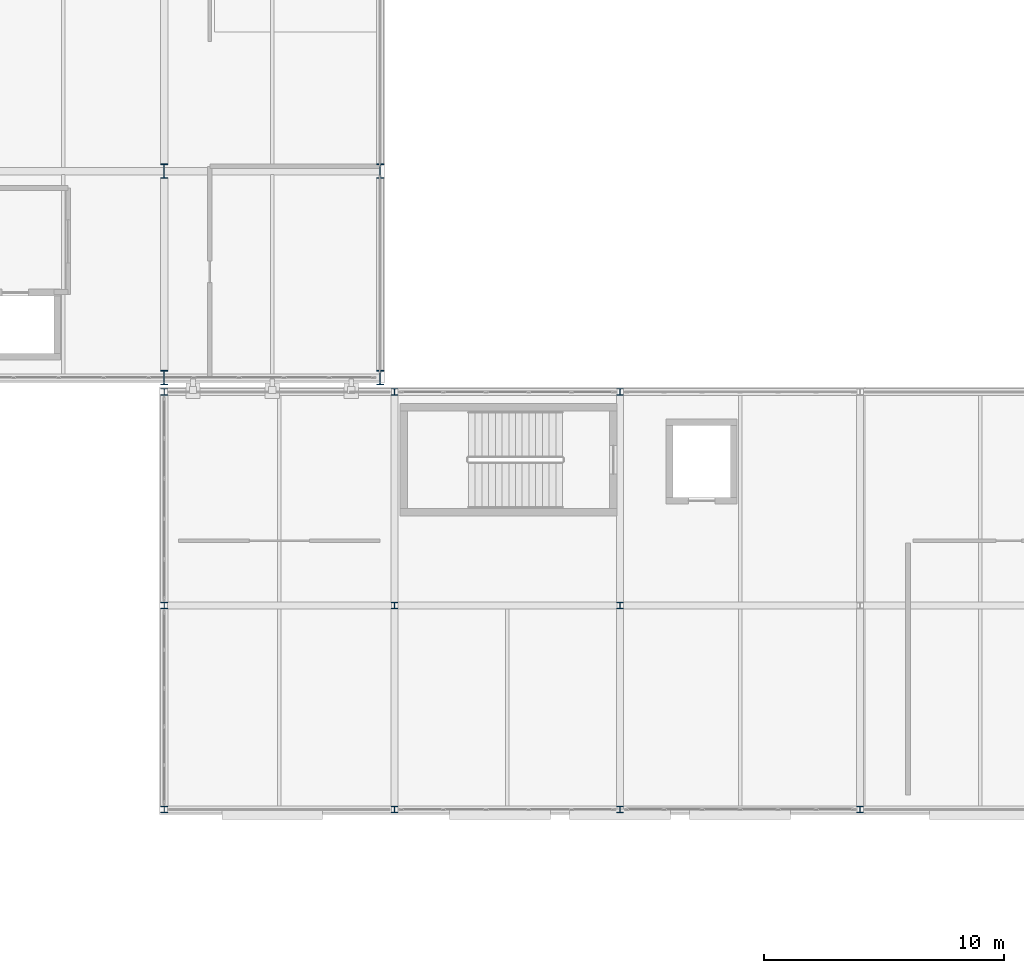
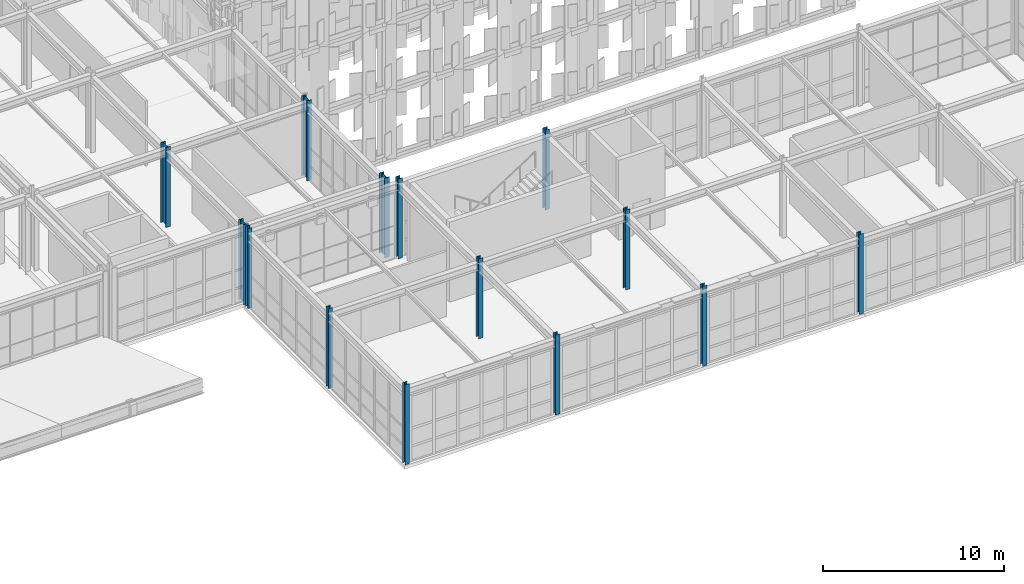
# One storey, part 16 of 239: 14 columns.
"""IFC4 building model written with IfcOpenShell, lengths in metres."""

from ifc_helpers import new_model, si_unit, direction, frame, origin, origin_2d, place, context, subcontext, project, spatial, i_section, extrude, material, material_profile, profile_set, type_object, element, save


model = new_model("IFC4")

# Units and contexts
model_context = context("Model", 3, precision=1e-05, world=origin(), true_north=direction((0.0, 1.0)))
body_context = subcontext(model_context, "Body", "Model", "MODEL_VIEW")
ifc_project = project(units=[si_unit("LENGTHUNIT", "METRE"), si_unit("AREAUNIT", "SQUARE_METRE"), si_unit("VOLUMEUNIT", "CUBIC_METRE"), si_unit("PLANEANGLEUNIT", "RADIAN"), si_unit("MASSUNIT", "GRAM", prefix="KILO")], contexts=[model_context])

# Site, building, storey
site_placement = place(None, origin())
site = spatial("IfcSite", under=ifc_project, at=site_placement, CompositionType="ELEMENT")
building_placement = place(site_placement, origin())
building = spatial("IfcBuilding", under=site, at=building_placement, Name="Kaldris Quays Convention Centre", CompositionType="ELEMENT")
storey_placement = place(building_placement, frame((0.0, 0.0, 11.39990234375)))
storey = spatial("IfcBuildingStorey", under=building, at=storey_placement, Name="L02", CompositionType="ELEMENT", Elevation=11.39990234375)

# Columns
ifc_material = material(Name="Steel S355J2", Category="steel")
ifc_material_profile_1 = material_profile(ifc_material, i_section(OverallWidth=0.300048828125, OverallDepth=0.60009765625, WebThickness=0.015380859375, FlangeThickness=0.030029296875, FilletRadius=0.027099609375, at=origin_2d()), Name="HEB 600")
ifc_profile_set_1 = profile_set([ifc_material_profile_1], Name="Steel S355J2")
column_type_1 = type_object("IfcColumnType", Name="STRUCTURAL COLUMN CL06", PredefinedType="COLUMN", material=ifc_profile_set_1)
for number, where, z_axis, x_axis, name in (
    (1, (155.0, 38.0, 0.0), (0.0, 0.0, 1.0), (1.0, 0.0, 0.0), "L02 V4 Column CL06 (155.00, 38.00)"),
    (2, (155.0, 46.60009765625, 0.0), (0.0, 0.0, 1.0), (1.0, 0.0, 0.0), "L02 V4 Column CL06 (155.00, 46.60)"),
    (3, (164.0, 38.0, 0.0), (0.0, 0.0, 1.0), (1.0, 0.0, 0.0), "L02 V4 Column CL06 (164.00, 38.00)"),
    (4, (164.0, 46.60009765625, 0.0), (0.0, 0.0, 1.0), (1.0, 0.0, 0.0), "L02 V4 Column CL06 (164.00, 46.60)"),
):
    element("IfcColumn", number, at=place(storey_placement, frame(where, z_axis=z_axis, x_axis=x_axis)), inside=storey, type_object=column_type_1, Name=name, PredefinedType="COLUMN", context=body_context, shape_type="SweptSolid", body=[
        extrude(i_section(OverallWidth=0.300048828125, OverallDepth=0.60009765625, WebThickness=0.015380859375, FlangeThickness=0.030029296875, FilletRadius=0.027099609375, at=origin_2d()), origin(), (0.0, 0.0, 1.0), 5.400146484375),
    ])
ifc_material_profile_2 = material_profile(ifc_material, i_section(OverallWidth=0.280029296875, OverallDepth=0.280029296875, WebThickness=0.010498046875, FlangeThickness=0.01806640625, FilletRadius=0.02392578125, at=origin_2d()), Name="HEB 280")
ifc_profile_set_2 = profile_set([ifc_material_profile_2], Name="Steel S355J2")
column_type_2 = type_object("IfcColumnType", Name="STRUCTURAL COLUMN CL18", PredefinedType="COLUMN", material=ifc_profile_set_2)
for number, where, z_axis, x_axis, name in (
    (5, (155.0, 20.0, 0.0), (0.0, 0.0, 1.0), (1.0, 0.0, 0.0), "L02 V5 Column CL18 (155.00, 20.00)"),
    (6, (155.0, 28.5, 0.0), (0.0, 0.0, 1.0), (1.0, 0.0, 0.0), "L02 V5 Column CL18 (155.00, 28.50)"),
    (7, (155.0, 37.39990234375, 0.0), (0.0, 0.0, 1.0), (1.0, 0.0, 0.0), "L02 V5 Column CL18 (155.00, 37.40)"),
    (8, (164.60009765625, 20.0, 0.0), (0.0, 0.0, 1.0), (1.0, 0.0, 0.0), "L02 V5 Column CL18 (164.60, 20.00)"),
    (9, (164.60009765625, 28.5, 0.0), (0.0, 0.0, 1.0), (1.0, 0.0, 0.0), "L02 V5 Column CL18 (164.60, 28.50)"),
    (10, (164.60009765625, 37.39990234375, 0.0), (0.0, 0.0, 1.0), (1.0, 0.0, 0.0), "L02 V5 Column CL18 (164.60, 37.40)"),
    (11, (174.0, 20.0, 0.0), (0.0, 0.0, 1.0), (1.0, 0.0, 0.0), "L02 V5 Column CL18 (174.00, 20.00)"),
    (12, (174.0, 28.5, 0.0), (0.0, 0.0, 1.0), (1.0, 0.0, 0.0), "L02 V5 Column CL18 (174.00, 28.50)"),
    (13, (174.0, 37.39990234375, 0.0), (0.0, 0.0, 1.0), (1.0, 0.0, 0.0), "L02 V5 Column CL18 (174.00, 37.40)"),
    (14, (184.0, 20.0, 0.0), (0.0, 0.0, 1.0), (1.0, 0.0, 0.0), "L02 V5 Column CL18 (184.00, 20.00)"),
):
    element("IfcColumn", number, at=place(storey_placement, frame(where, z_axis=z_axis, x_axis=x_axis)), inside=storey, type_object=column_type_2, Name=name, PredefinedType="COLUMN", context=body_context, shape_type="SweptSolid", body=[
        extrude(i_section(OverallWidth=0.280029296875, OverallDepth=0.280029296875, WebThickness=0.010498046875, FlangeThickness=0.01806640625, FilletRadius=0.02392578125, at=origin_2d()), origin(), (0.0, 0.0, 1.0), 5.400146484375),
    ])

save(model, "model.ifc")
